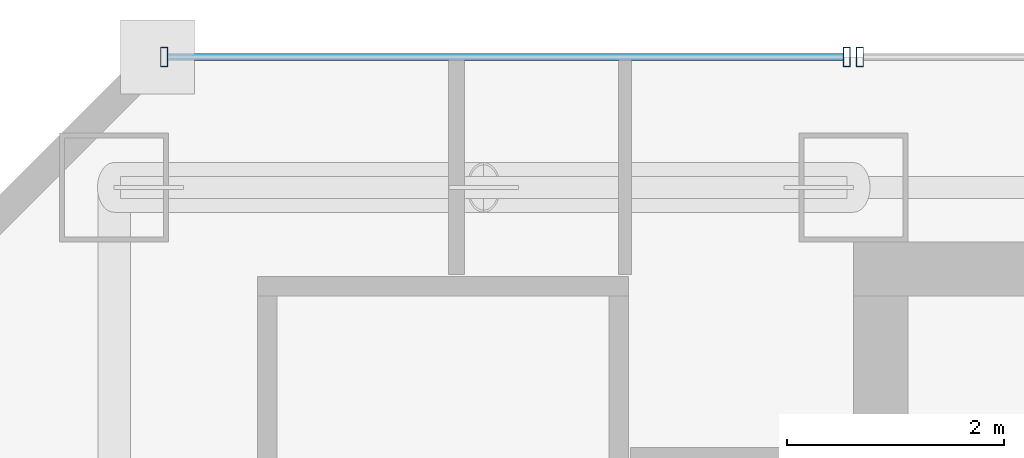
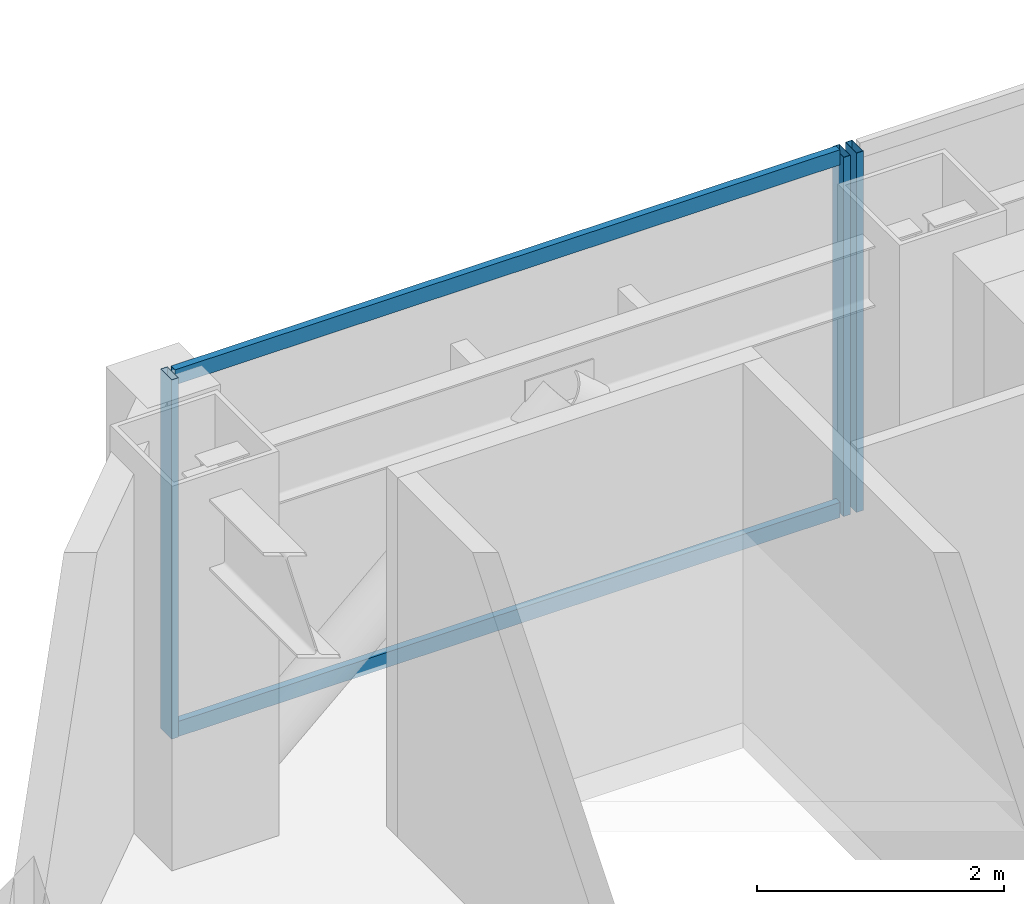
# One storey, part 22 of 37: 5 members, 2 elements without a shape of their own.
"""IFC4 building model written with IfcOpenShell, lengths in metres."""

from ifc_helpers import new_model, si_unit, direction, frame, origin, origin_2d, place, context, subcontext, project, spatial, hollow_rectangle, extrude, material, material_profile, profile_set, type_object, element, aggregate, save


model = new_model("IFC4")

# Units and contexts
model_context = context("Model", 3, precision=1e-05, world=origin(), true_north=direction((0.0, 1.0)))
body_context = subcontext(model_context, "Body", "Model", "MODEL_VIEW")
ifc_project = project(units=[si_unit("LENGTHUNIT", "METRE"), si_unit("AREAUNIT", "SQUARE_METRE"), si_unit("VOLUMEUNIT", "CUBIC_METRE"), si_unit("PLANEANGLEUNIT", "RADIAN"), si_unit("MASSUNIT", "GRAM", prefix="KILO")], contexts=[model_context])

# Site, building, storey
site_placement = place(None, origin())
site = spatial("IfcSite", under=ifc_project, at=site_placement, CompositionType="ELEMENT")
building_placement = place(site_placement, origin())
building = spatial("IfcBuilding", under=site, at=building_placement, Name="Saevonmaru Cultural Tower", CompositionType="ELEMENT")
storey_placement = place(building_placement, frame((0.0, 0.0, 144.800048828125)))
storey = spatial("IfcBuildingStorey", under=building, at=storey_placement, Name="L31", CompositionType="ELEMENT", Elevation=144.800048828125)

# Curtain wall, member
ifc_material = material(Name="Satin Bronze Anodised Aluminium", Category="aluminium")
curtain_wall_type = type_object("IfcCurtainWallType", Name="CW-TYP-A", PredefinedType="NOTDEFINED", material=ifc_material)
curtain_wall_1_placement = place(storey_placement, origin())
curtain_wall_1 = element("IfcCurtainWall", 1, at=curtain_wall_1_placement, inside=storey, type_object=curtain_wall_type, Name="L31 North Spine Unitised Curtain Wall E10B", PredefinedType="NOTDEFINED")
ifc_material_profile_1 = material_profile(ifc_material, hollow_rectangle(XDim=0.06494140625, YDim=0.179931640625, WallThickness=0.00390625, at=origin_2d()), Name="ALU-MULL-180x65x4")
ifc_profile_set_1 = profile_set([ifc_material_profile_1], Name="Satin Bronze Anodised Aluminium")
member_type_1 = type_object("IfcMemberType", Name="ML-CW-180x65", PredefinedType="MULLION", material=ifc_profile_set_1)
member_1_placement = place(storey_placement, frame((13.659912109375, 56.0, 0.0), z_axis=(0.0, 0.0, 1.0), x_axis=(-1.0, 0.0, 0.0)))
member_1 = element("IfcMember", 2, at=member_1_placement, type_object=member_type_1, Name="CW-TW-L31-E10B mullion 4", PredefinedType="MULLION", context=body_context, shape_type="SweptSolid", body=[
    extrude(hollow_rectangle(XDim=0.06494140625, YDim=0.179931640625, WallThickness=0.00390625, at=origin_2d()), origin(), (0.0, 0.0, 1.0), 3.550048828125),
])
aggregate(curtain_wall_1, [member_1])

# Curtain wall, members
curtain_wall_2_placement = place(storey_placement, origin())
curtain_wall_2 = element("IfcCurtainWall", 3, at=curtain_wall_2_placement, inside=storey, type_object=curtain_wall_type, Name="L31 West Braced Bay Spandrel Curtain Wall E10C", PredefinedType="NOTDEFINED")
member_2_placement = place(storey_placement, frame((13.5400390625, 56.0, 0.0), z_axis=(0.0, 0.0, 1.0), x_axis=(-1.0, 0.0, 0.0)))
member_2 = element("IfcMember", 4, at=member_2_placement, type_object=member_type_1, Name="CW-TW-L31-E10C mullion 1", PredefinedType="MULLION", context=body_context, shape_type="SweptSolid", body=[
    extrude(hollow_rectangle(XDim=0.06494140625, YDim=0.179931640625, WallThickness=0.00390625, at=origin_2d()), origin(), (0.0, 0.0, 1.0), 3.550048828125),
])
member_3_placement = place(storey_placement, frame((7.260009765625, 56.0, 0.0), z_axis=(0.0, 0.0, 1.0), x_axis=(-1.0, 0.0, 0.0)))
member_3 = element("IfcMember", 5, at=member_3_placement, type_object=member_type_1, Name="CW-TW-L31-E10C mullion 2", PredefinedType="MULLION", context=body_context, shape_type="SweptSolid", body=[
    extrude(hollow_rectangle(XDim=0.06494140625, YDim=0.179931640625, WallThickness=0.00390625, at=origin_2d()), origin(), (0.0, 0.0, 1.0), 3.550048828125),
])
ifc_material_profile_2 = material_profile(ifc_material, hollow_rectangle(XDim=0.06494140625, YDim=0.14990234375, WallThickness=0.00390625, at=origin_2d()), Name="ALU-TRAN-150x65x4")
ifc_profile_set_2 = profile_set([ifc_material_profile_2], Name="Satin Bronze Anodised Aluminium")
member_type_2 = type_object("IfcMemberType", Name="TR-CW-150x65", PredefinedType="USERDEFINED", material=ifc_profile_set_2)
member_4_placement = place(storey_placement, frame((13.507568359375, 56.0, 0.032470703125), z_axis=(-1.0, 0.0, 0.0), x_axis=(0.0, -1.0, 0.0)))
member_4 = element("IfcMember", 6, at=member_4_placement, type_object=member_type_2, Name="CW-TW-L31-E10C transom 1.1", ObjectType="TRANSOM", PredefinedType="USERDEFINED", context=body_context, shape_type="SweptSolid", body=[
    extrude(hollow_rectangle(XDim=0.06494140625, YDim=0.14990234375, WallThickness=0.00390625, at=origin_2d()), origin(), (0.0, 0.0, 1.0), 6.215087890625),
])
member_5_placement = place(storey_placement, frame((13.507568359375, 56.0, 3.517333984375), z_axis=(-1.0, 0.0, 0.0), x_axis=(0.0, -1.0, 0.0)))
member_5 = element("IfcMember", 7, at=member_5_placement, type_object=member_type_2, Name="CW-TW-L31-E10C transom 1.2", ObjectType="TRANSOM", PredefinedType="USERDEFINED", context=body_context, shape_type="SweptSolid", body=[
    extrude(hollow_rectangle(XDim=0.06494140625, YDim=0.14990234375, WallThickness=0.00390625, at=origin_2d()), origin(), (0.0, 0.0, 1.0), 6.215087890625),
])
aggregate(curtain_wall_2, [member_2, member_3, member_4, member_5])

save(model, "model.ifc")
